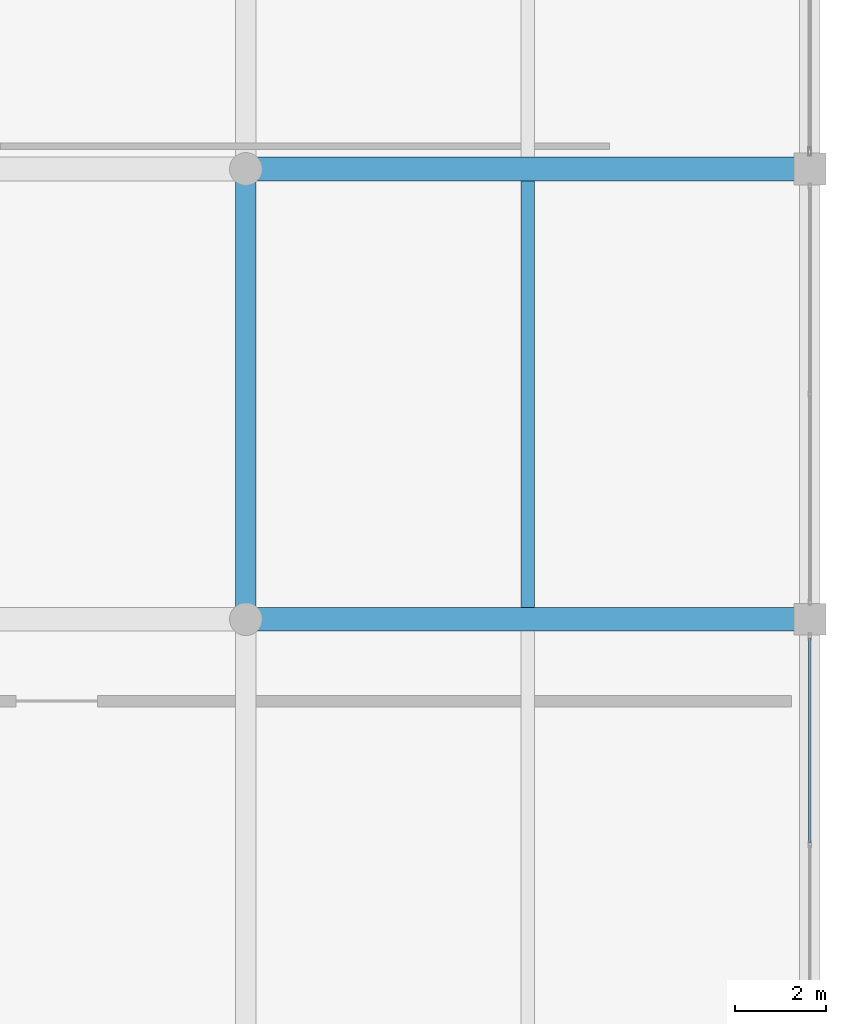
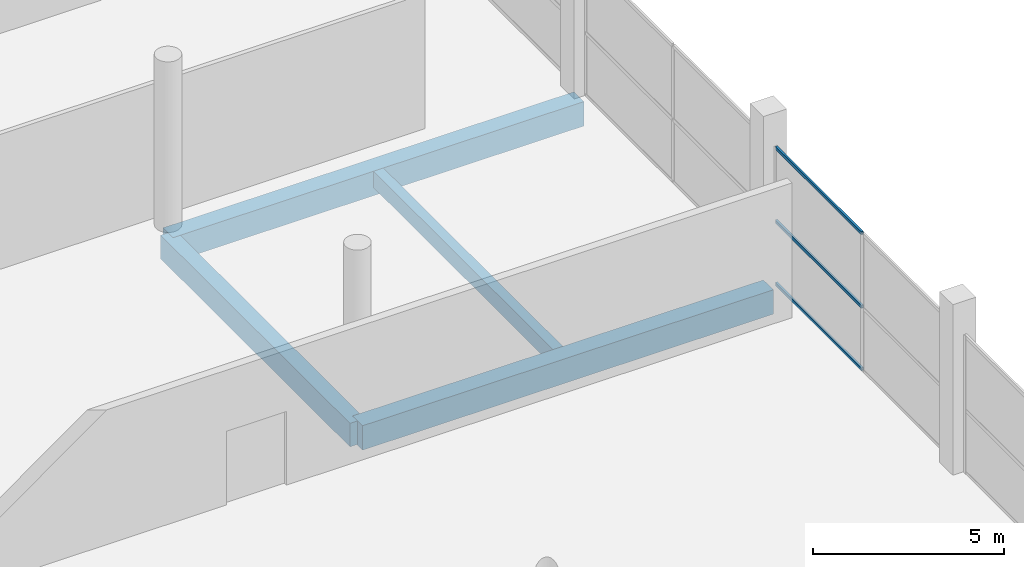
# One storey, part 37 of 74: 4 beams, 3 members, 1 element without a shape of its own.
"""IFC4 building model written with IfcOpenShell, lengths in metres."""

from ifc_helpers import new_model, si_unit, direction, frame, origin, origin_2d, place, context, subcontext, project, spatial, rectangle, hollow_rectangle, extrude, material, layer, layer_set, material_profile, profile_set, type_object, element, aggregate, save


model = new_model("IFC4")

# Units and contexts
model_context = context("Model", 3, precision=1e-05, world=origin(), true_north=direction((0.0, 1.0)))
body_context = subcontext(model_context, "Body", "Model", "MODEL_VIEW")
ifc_project = project(units=[si_unit("LENGTHUNIT", "METRE"), si_unit("AREAUNIT", "SQUARE_METRE"), si_unit("VOLUMEUNIT", "CUBIC_METRE"), si_unit("PLANEANGLEUNIT", "RADIAN"), si_unit("MASSUNIT", "GRAM", prefix="KILO")], contexts=[model_context])

# Site, building, storey
site_placement = place(None, origin())
site = spatial("IfcSite", under=ifc_project, at=site_placement, CompositionType="ELEMENT")
building_placement = place(site_placement, origin())
building = spatial("IfcBuilding", under=site, at=building_placement, Name="Sillaruma Civic Art Gallery", CompositionType="ELEMENT")
storey_placement = place(building_placement, frame((0.0, 0.0, 5.43994140625)))
storey = spatial("IfcBuildingStorey", under=building, at=storey_placement, Name="L01", CompositionType="ELEMENT", Elevation=5.43994140625)

# Beams
ifc_material_1 = material(Name="Concrete H40 (40 MPa)", Category="concrete")
ifc_material_profile_1 = material_profile(ifc_material_1, rectangle(XDim=0.449951171875, YDim=0.75, at=origin_2d()), Name="RCB450x750")
ifc_profile_set_1 = profile_set([ifc_material_profile_1], Name="Concrete H40 (40 MPa)")
beam_type_1 = type_object("IfcBeamType", Name="BM-BEAM-RCB450x750", PredefinedType="BEAM", material=ifc_profile_set_1)
beam_1_placement = place(storey_placement, frame((164.0, 19.800048828125, -0.635009765625), z_axis=(0.0, 1.0, 0.0), x_axis=(-1.0, 0.0, 0.0)))
element("IfcBeam", 1, at=beam_1_placement, inside=storey, type_object=beam_type_1, Name="Beam BM-03 (L00:S:3-4)", PredefinedType="BEAM", context=body_context, shape_type="SweptSolid", body=[
    extrude(rectangle(XDim=0.449951171875, YDim=0.75, at=origin_2d()), origin(), (0.0, 0.0, 1.0), 9.89990234375),
])
ifc_material_2 = material(Name="Concrete H35 (35 MPa)", Category="concrete")
ifc_material_profile_2 = material_profile(ifc_material_2, rectangle(XDim=0.300048828125, YDim=0.52001953125, at=origin_2d()), Name="RCB300x520")
ifc_profile_set_2 = profile_set([ifc_material_profile_2], Name="Concrete H35 (35 MPa)")
beam_type_2 = type_object("IfcBeamType", Name="BM-JOIST-RCB300x520", PredefinedType="JOIST", material=ifc_profile_set_2)
beam_2_placement = place(storey_placement, frame((170.199951171875, 20.06005859375, -0.52001953125), z_axis=(0.0, 1.0, 0.0), x_axis=(-1.0, 0.0, 0.0)))
element("IfcBeam", 2, at=beam_2_placement, inside=storey, type_object=beam_type_2, Name="Floor Joist JR-01 (L00:ST:3-4)", PredefinedType="JOIST", context=body_context, shape_type="SweptSolid", body=[
    extrude(rectangle(XDim=0.300048828125, YDim=0.52001953125, at=origin_2d()), origin(), (0.0, 0.0, 1.0), 9.3798828125),
])
ifc_material_profile_3 = material_profile(ifc_material_1, rectangle(XDim=0.52001953125, YDim=0.780029296875, at=origin_2d()), Name="RCT520x780")
ifc_profile_set_3 = profile_set([ifc_material_profile_3], Name="Concrete H40 (40 MPa)")
beam_type_3 = type_object("IfcBeamType", Name="BM-T_BEAM-RCT520x780", PredefinedType="T_BEAM", material=ifc_profile_set_3)
for number, where, z_axis, x_axis, name in (
    (3, (164.0, 19.800048828125, -0.64990234375), (1.0, 0.0, 0.0), (0.0, 1.0, 0.0), "Beam BT-01 (L00:3:S-T)"),
    (4, (164.0, 29.699951171875, -0.64990234375), (1.0, 0.0, 0.0), (0.0, 1.0, 0.0), "Beam BT-01 (L00:4:S-T)"),
):
    element("IfcBeam", number, at=place(storey_placement, frame(where, z_axis=z_axis, x_axis=x_axis)), inside=storey, type_object=beam_type_3, Name=name, PredefinedType="T_BEAM", context=body_context, shape_type="SweptSolid", body=[
        extrude(rectangle(XDim=0.52001953125, YDim=0.780029296875, at=origin_2d()), origin(), (0.0, 0.0, 1.0), 12.39990234375),
    ])

# Curtain wall, members
ifc_material_3 = material(Name="Thermally Broken Extruded Aluminium 6063-T6", Category="aluminium")
ifc_layer = layer(ifc_material_3, 0.159912109375, Name="Thermally Broken Extruded Aluminium 6063-T6")
ifc_layer_set = layer_set([ifc_layer], Name="Thermally Broken Extruded Aluminium 6063-T6")
curtain_wall_type = type_object("IfcCurtainWallType", Name="CW-UNI-10", PredefinedType="NOTDEFINED", material=ifc_layer_set)
curtain_wall_placement = place(storey_placement, origin())
curtain_wall = element("IfcCurtainWall", 5, at=curtain_wall_placement, inside=storey, type_object=curtain_wall_type, Name="Unitised Curtain Wall CW-10 (CW-L01-ESTR-2)", PredefinedType="NOTDEFINED")
ifc_material_profile_4 = material_profile(ifc_material_3, hollow_rectangle(XDim=0.06005859375, YDim=0.10009765625, WallThickness=0.003173828125, at=origin_2d()), Name="CWT60x100")
ifc_profile_set_4 = profile_set([ifc_material_profile_4], Name="Thermally Broken Extruded Aluminium 6063-T6")
member_type = type_object("IfcMemberType", Name="MEM-TRN-CWT60x100", PredefinedType="USERDEFINED", material=ifc_profile_set_4)
member_1_placement = place(storey_placement, frame((176.39990234375, 14.882568359375, 0.030029296875), z_axis=(0.0, 1.0, 0.0), x_axis=(-1.0, 0.0, 0.0)))
member_1 = element("IfcMember", 6, at=member_1_placement, type_object=member_type, Name="CW-10 transom 2.1", ObjectType="TRANSOM", PredefinedType="USERDEFINED", context=body_context, shape_type="SweptSolid", body=[
    extrude(hollow_rectangle(XDim=0.06005859375, YDim=0.10009765625, WallThickness=0.003173828125, at=origin_2d()), origin(), (0.0, 0.0, 1.0), 4.50244140625),
])
member_2_placement = place(storey_placement, frame((176.39990234375, 14.882568359375, 2.024169921875), z_axis=(0.0, 1.0, 0.0), x_axis=(-1.0, 0.0, 0.0)))
member_2 = element("IfcMember", 7, at=member_2_placement, type_object=member_type, Name="CW-10 transom 2.2", ObjectType="TRANSOM", PredefinedType="USERDEFINED", context=body_context, shape_type="SweptSolid", body=[
    extrude(hollow_rectangle(XDim=0.06005859375, YDim=0.10009765625, WallThickness=0.003173828125, at=origin_2d()), origin(), (0.0, 0.0, 1.0), 4.50244140625),
])
member_3_placement = place(storey_placement, frame((176.39990234375, 14.882568359375, 4.3701171875), z_axis=(0.0, 1.0, 0.0), x_axis=(-1.0, 0.0, 0.0)))
member_3 = element("IfcMember", 8, at=member_3_placement, type_object=member_type, Name="CW-10 transom 2.3", ObjectType="TRANSOM", PredefinedType="USERDEFINED", context=body_context, shape_type="SweptSolid", body=[
    extrude(hollow_rectangle(XDim=0.06005859375, YDim=0.10009765625, WallThickness=0.003173828125, at=origin_2d()), origin(), (0.0, 0.0, 1.0), 4.50244140625),
])
aggregate(curtain_wall, [member_1, member_2, member_3])

save(model, "model.ifc")
